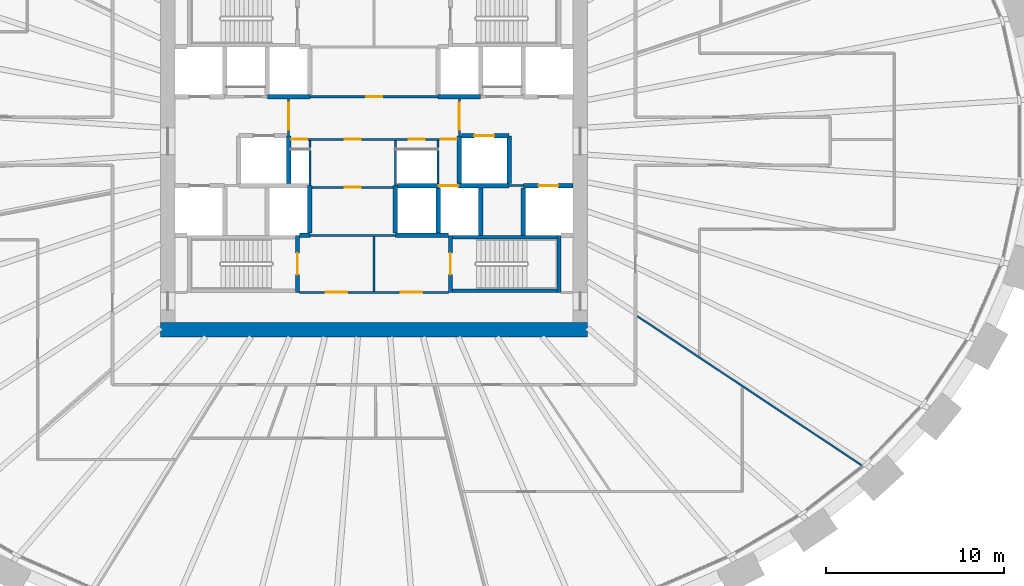
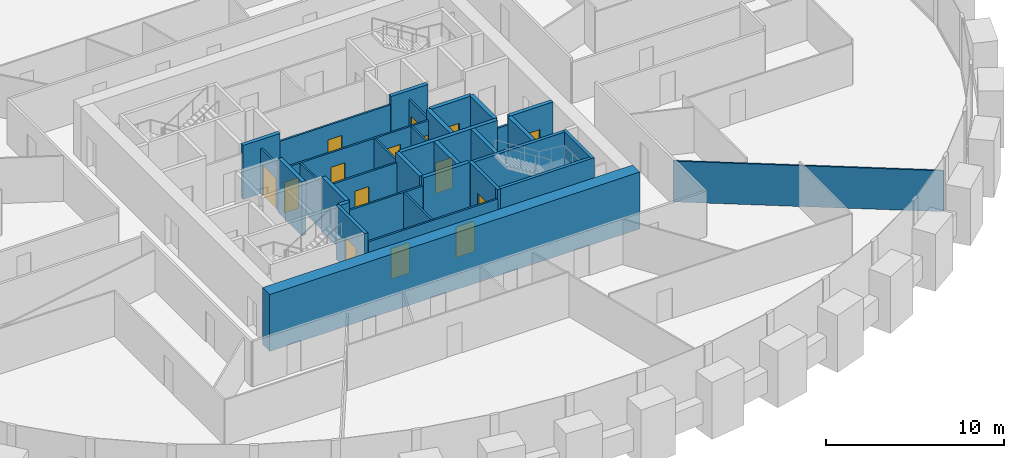
# One storey, part 7 of 10: 34 walls, 15 doors, 15 openings.
"""IFC4 building model written with IfcOpenShell, lengths in metres."""

from ifc_helpers import new_model, si_unit, direction, frame, frame_2d, origin, place, context, subcontext, project, spatial, rectangle, extrude, source, transform, mapped, material, layer, layer_set, type_object, element, fill, save


model = new_model("IFC4")

# Units and contexts
model_context = context("Model", 3, precision=1e-05, world=origin(), true_north=direction((0.0, 1.0)))
body_context = subcontext(model_context, "Body", "Model", "MODEL_VIEW")
ifc_project = project(units=[si_unit("LENGTHUNIT", "METRE"), si_unit("AREAUNIT", "SQUARE_METRE"), si_unit("VOLUMEUNIT", "CUBIC_METRE"), si_unit("PLANEANGLEUNIT", "RADIAN"), si_unit("MASSUNIT", "GRAM", prefix="KILO")], contexts=[model_context])

# Site, building, storey
site_placement = place(None, origin())
site = spatial("IfcSite", under=ifc_project, at=site_placement, CompositionType="ELEMENT")
building_placement = place(site_placement, origin())
building = spatial("IfcBuilding", under=site, at=building_placement, Name="Embergate Tower", CompositionType="ELEMENT")
storey_placement = place(building_placement, frame((0.0, 0.0, 167.699951171875)))
storey = spatial("IfcBuildingStorey", under=building, at=storey_placement, Name="L37", CompositionType="ELEMENT", Elevation=167.699951171875)

# Walls
ifc_material_1 = material(Name="Concrete C70", Category="concrete")
ifc_layer_1 = layer(ifc_material_1, 0.800048828125)
ifc_layer_set_1 = layer_set([ifc_layer_1], Name="Concrete C70")
wall_type_1 = type_object("IfcWallType", Name="Core outer wall C70 800", PredefinedType="SHEAR", material=ifc_layer_set_1)
shared_shape_1 = source(origin(), body_context, "Body", "SweptSolid", [
    extrude(rectangle(XDim=24.0, YDim=0.800048828125, at=frame_2d((12.0, 0.0))), origin(), (0.0, 0.0, 1.0), 3.89990234375),
])
wall_1_placement = place(storey_placement, frame((-12.0, -10.60009765625, -0.199951171875), z_axis=(0.0, 0.0, 1.0), x_axis=(1.0, 0.0, 0.0)))
element("IfcWall", 1, at=wall_1_placement, inside=storey, type_object=wall_type_1, Name="CW-L37-S", PredefinedType="SHEAR", context=body_context, shape_type="MappedRepresentation", body=[
    mapped(shared_shape_1, transform((0.0, 0.0, 0.0))),
])
ifc_material_2 = material(Name="Concrete C50", Category="concrete")
ifc_layer_2 = layer(ifc_material_2, 0.25)
ifc_layer_set_2 = layer_set([ifc_layer_2], Name="Concrete C50")
wall_type_2 = type_object("IfcWallType", Name="Hoistway wall reinforced concrete 250", PredefinedType="SHEAR", material=ifc_layer_set_2)
shared_shape_2 = source(origin(), body_context, "Body", "SweptSolid", [
    extrude(rectangle(XDim=2.675048828125, YDim=0.25, at=frame_2d((1.33740234375, 0.0))), origin(), (0.0, 0.0, 1.0), 3.699951171875),
])
for number, where, z_axis, x_axis, name in (
    (2, (-3.60009765625, -5.175048828125, 0.0), (0.0, 0.0, 1.0), (0.0, 1.0, 0.0), "HW-1 wall"),
    (3, (1.199951171875, -2.5, 0.0), (0.0, 0.0, 1.0), (0.0, -1.0, 0.0), "HW-1 wall"),
    (4, (-4.800048828125, 0.300048828125, 0.0), (0.0, 0.0, 1.0), (0.0, -1.0, 0.0), "HW-1 wall"),
    (5, (4.800048828125, -2.375, 0.0), (0.0, 0.0, 1.0), (0.0, 1.0, 0.0), "HW-1 wall"),
):
    element("IfcWall", number, at=place(storey_placement, frame(where, z_axis=z_axis, x_axis=x_axis)), inside=storey, type_object=wall_type_2, Name=name, PredefinedType="SHEAR", context=body_context, shape_type="MappedRepresentation", body=[
        mapped(shared_shape_2, transform((0.0, 0.0, 0.0))),
    ])

# Wall, opening, door
wall_2_placement = place(storey_placement, frame((7.60009765625, 0.300048828125, 0.0), z_axis=(0.0, 0.0, 1.0), x_axis=(-1.0, 0.0, 0.0)))
wall_2 = element("IfcWall", 6, at=wall_2_placement, inside=storey, type_object=wall_type_2, Name="HW-1 wall", PredefinedType="SHEAR", context=body_context, shape_type="MappedRepresentation", body=[
    mapped(shared_shape_2, transform((0.0, 0.0, 0.0))),
])
shared_shape_3 = source(origin(), body_context, "Body", "SweptSolid", [
    extrude(rectangle(XDim=1.10009765625, YDim=2.10009765625, at=frame_2d((0.550048828125, 1.050048828125))), frame((0.0, 0.135009765625, 0.0), z_axis=(0.0, -1.0, 0.0), x_axis=(1.0, 0.0, 0.0)), (0.0, 0.0, 1.0), 0.27001953125),
])
opening_1_placement = place(wall_2_placement, frame((0.85009765625, 0.0, 0.0)))
opening_1 = element("IfcOpeningElement", 7, at=opening_1_placement, cuts=wall_2, Name="Opening LD", PredefinedType="OPENING", context=body_context, shape_type="MappedRepresentation", body=[
    mapped(shared_shape_3, transform((0.0, 0.0, 0.0))),
])
ifc_material_3 = material(Name="Landing door sliding 1100")
door_type_1 = type_object("IfcDoorType", Name="Landing door sliding 1100", OperationType="SLIDING_TO_LEFT", PredefinedType="DOOR", material=ifc_material_3)
shared_shape_4 = source(origin(), body_context, "Body", "SweptSolid", [
    extrude(rectangle(XDim=1.10009765625, YDim=2.10009765625, at=frame_2d((0.550048828125, 1.050048828125))), frame((0.0, 0.02490234375, 0.0), z_axis=(0.0, -1.0, 0.0), x_axis=(1.0, 0.0, 0.0)), (0.0, 0.0, 1.0), 0.050048828125),
])
door_1_placement = place(opening_1_placement, origin())
door_1 = element("IfcDoor", 8, at=door_1_placement, inside=storey, type_object=door_type_1, Name="LD door", OperationType="SLIDING_TO_LEFT", OverallHeight=2.10009765625, OverallWidth=1.10009765625, PredefinedType="DOOR", context=body_context, shape_type="MappedRepresentation", body=[
    mapped(shared_shape_4, transform((0.0, 0.0, 0.0))),
])
fill(opening_1, door_1)

# Walls
wall_3_placement = place(storey_placement, frame((7.60009765625, -2.375, 0.0), z_axis=(0.0, 0.0, 1.0), x_axis=(0.0, 1.0, 0.0)))
element("IfcWall", 9, at=wall_3_placement, inside=storey, type_object=wall_type_2, Name="HW-1 wall", PredefinedType="SHEAR", context=body_context, shape_type="MappedRepresentation", body=[
    mapped(shared_shape_2, transform((0.0, 0.0, 0.0))),
])
ifc_layer_3 = layer(ifc_material_2, 0.199951171875)
ifc_layer_set_3 = layer_set([ifc_layer_3], Name="Concrete C50")
wall_type_3 = type_object("IfcWallType", Name="Stair enclosure wall reinforced concrete 250", PredefinedType="SHEAR", material=ifc_layer_set_3)
shared_shape_5 = source(origin(), body_context, "Body", "SweptSolid", [
    extrude(rectangle(XDim=6.300048828125, YDim=0.199951171875, at=frame_2d((3.14990234375, 0.0))), origin(), (0.0, 0.0, 1.0), 3.699951171875),
])
for number, where, z_axis, x_axis, name in (
    (10, (4.199951171875, -5.39990234375, 0.0), (0.0, 0.0, 1.0), (1.0, 0.0, 0.0), "SE-1 wall"),
    (11, (4.199951171875, -8.39990234375, 0.0), (0.0, 0.0, 1.0), (1.0, 0.0, 0.0), "SE-1 wall"),
):
    element("IfcWall", number, at=place(storey_placement, frame(where, z_axis=z_axis, x_axis=x_axis)), inside=storey, type_object=wall_type_3, Name=name, PredefinedType="SHEAR", context=body_context, shape_type="MappedRepresentation", body=[
        mapped(shared_shape_5, transform((0.0, 0.0, 0.0))),
    ])
shared_shape_6 = source(origin(), body_context, "Body", "SweptSolid", [
    extrude(rectangle(XDim=2.550048828125, YDim=0.25, at=frame_2d((1.27490234375, 0.0))), origin(), (0.0, 0.0, 1.0), 3.699951171875),
])
wall_4_placement = place(storey_placement, frame((3.60009765625, -5.175048828125, 0.0), z_axis=(0.0, 0.0, 1.0), x_axis=(0.0, 1.0, 0.0)))
element("IfcWall", 12, at=wall_4_placement, inside=storey, type_object=wall_type_2, Name="HW-1 wall", PredefinedType="SHEAR", context=body_context, shape_type="MappedRepresentation", body=[
    mapped(shared_shape_6, transform((0.0, 0.0, 0.0))),
])

# Wall, opening, door
ifc_material_4 = material(Name="Core partition blockwork 120")
ifc_layer_4 = layer(ifc_material_4, 0.1201171875)
ifc_layer_set_4 = layer_set([ifc_layer_4], Name="Core partition blockwork 120")
wall_type_4 = type_object("IfcWallType", Name="Core partition blockwork 120", PredefinedType="PARTITIONING", material=ifc_layer_set_4)
shared_shape_7 = source(origin(), body_context, "Body", "SweptSolid", [
    extrude(rectangle(XDim=2.074951171875, YDim=0.1201171875, at=frame_2d((1.03759765625, 0.0))), origin(), (0.0, 0.0, 1.0), 3.10009765625),
])
wall_5_placement = place(storey_placement, frame((-4.800048828125, 2.375, 0.0), z_axis=(0.0, 0.0, 1.0), x_axis=(0.0, -1.0, 0.0)))
wall_5 = element("IfcWall", 13, at=wall_5_placement, inside=storey, type_object=wall_type_4, Name="IP-3 wall", PredefinedType="PARTITIONING", context=body_context, shape_type="MappedRepresentation", body=[
    mapped(shared_shape_7, transform((0.0, 0.0, 0.0))),
])
shared_shape_8 = source(origin(), body_context, "Body", "SweptSolid", [
    extrude(rectangle(XDim=1.5, YDim=2.10009765625, at=frame_2d((0.75, 1.050048828125))), frame((0.0, 0.070068359375, 0.0), z_axis=(0.0, -1.0, 0.0), x_axis=(1.0, 0.0, 0.0)), (0.0, 0.0, 1.0), 0.14013671875),
])
opening_2_placement = place(wall_5_placement, frame((0.22509765625, 0.0, 0.0)))
opening_2 = element("IfcOpeningElement", 14, at=opening_2_placement, cuts=wall_5, Name="Opening IF-3", PredefinedType="OPENING", context=body_context, shape_type="MappedRepresentation", body=[
    mapped(shared_shape_8, transform((0.0, 0.0, 0.0))),
])
ifc_material_5 = material(Name="Lobby fire door pair 1500")
door_type_2 = type_object("IfcDoorType", Name="Lobby fire door pair 1500", OperationType="DOUBLE_DOOR_SINGLE_SWING", PredefinedType="DOOR", material=ifc_material_5)
shared_shape_9 = source(origin(), body_context, "Body", "SweptSolid", [
    extrude(rectangle(XDim=1.5, YDim=2.10009765625, at=frame_2d((0.75, 1.050048828125))), frame((0.0, 0.02490234375, 0.0), z_axis=(0.0, -1.0, 0.0), x_axis=(1.0, 0.0, 0.0)), (0.0, 0.0, 1.0), 0.050048828125),
])
door_2_placement = place(opening_2_placement, origin())
door_2 = element("IfcDoor", 15, at=door_2_placement, inside=storey, type_object=door_type_2, Name="IF-3 door", OperationType="DOUBLE_DOOR_SINGLE_SWING", OverallHeight=2.10009765625, OverallWidth=1.5, PredefinedType="DOOR", context=body_context, shape_type="MappedRepresentation", body=[
    mapped(shared_shape_9, transform((0.0, 0.0, 0.0))),
])
fill(opening_2, door_2)

wall_6_placement = place(storey_placement, frame((4.800048828125, 0.300048828125, 0.0), z_axis=(0.0, 0.0, 1.0), x_axis=(0.0, 1.0, 0.0)))
wall_6 = element("IfcWall", 16, at=wall_6_placement, inside=storey, type_object=wall_type_4, Name="IP-3 wall", PredefinedType="PARTITIONING", context=body_context, shape_type="MappedRepresentation", body=[
    mapped(shared_shape_7, transform((0.0, 0.0, 0.0))),
])
opening_3_placement = place(wall_6_placement, frame((0.35009765625, 0.0, 0.0)))
opening_3 = element("IfcOpeningElement", 17, at=opening_3_placement, cuts=wall_6, Name="Opening IF-3", PredefinedType="OPENING", context=body_context, shape_type="MappedRepresentation", body=[
    mapped(shared_shape_8, transform((0.0, 0.0, 0.0))),
])
door_3_placement = place(opening_3_placement, origin())
door_3 = element("IfcDoor", 18, at=door_3_placement, inside=storey, type_object=door_type_2, Name="IF-3 door", OperationType="DOUBLE_DOOR_SINGLE_SWING", OverallHeight=2.10009765625, OverallWidth=1.5, PredefinedType="DOOR", context=body_context, shape_type="MappedRepresentation", body=[
    mapped(shared_shape_9, transform((0.0, 0.0, 0.0))),
])
fill(opening_3, door_3)

shared_shape_10 = source(origin(), body_context, "Body", "SweptSolid", [
    extrude(rectangle(XDim=3.199951171875, YDim=0.199951171875, at=frame_2d((1.60009765625, 0.0))), origin(), (0.0, 0.0, 1.0), 3.699951171875),
])
wall_7_placement = place(storey_placement, frame((-4.300048828125, -8.5, 0.0), z_axis=(0.0, 0.0, 1.0), x_axis=(0.0, 1.0, 0.0)))
wall_7 = element("IfcWall", 19, at=wall_7_placement, inside=storey, type_object=wall_type_3, Name="SE-1 wall", PredefinedType="SHEAR", context=body_context, shape_type="MappedRepresentation", body=[
    mapped(shared_shape_10, transform((0.0, 0.0, 0.0))),
])
shared_shape_11 = source(origin(), body_context, "Body", "SweptSolid", [
    extrude(rectangle(XDim=1.199951171875, YDim=2.10009765625, at=frame_2d((0.60009765625, 1.050048828125))), frame((0.0, 0.10986328125, 0.0), z_axis=(0.0, -1.0, 0.0), x_axis=(1.0, 0.0, 0.0)), (0.0, 0.0, 1.0), 0.219970703125),
])
opening_4_placement = place(wall_7_placement, frame((1.0, 0.0, 0.0)))
opening_4 = element("IfcOpeningElement", 20, at=opening_4_placement, cuts=wall_7, Name="Opening IF-2", PredefinedType="OPENING", context=body_context, shape_type="MappedRepresentation", body=[
    mapped(shared_shape_11, transform((0.0, 0.0, 0.0))),
])
ifc_material_6 = material(Name="Stair enclosure door 1200")
door_type_3 = type_object("IfcDoorType", Name="Stair enclosure door 1200", OperationType="SINGLE_SWING_LEFT", PredefinedType="DOOR", material=ifc_material_6)
shared_shape_12 = source(origin(), body_context, "Body", "SweptSolid", [
    extrude(rectangle(XDim=1.199951171875, YDim=2.10009765625, at=frame_2d((0.60009765625, 1.050048828125))), frame((0.0, 0.02490234375, 0.0), z_axis=(0.0, -1.0, 0.0), x_axis=(1.0, 0.0, 0.0)), (0.0, 0.0, 1.0), 0.050048828125),
])
door_4_placement = place(opening_4_placement, origin())
door_4 = element("IfcDoor", 21, at=door_4_placement, inside=storey, type_object=door_type_3, Name="IF-2 door", OperationType="SINGLE_SWING_LEFT", OverallHeight=2.10009765625, OverallWidth=1.199951171875, PredefinedType="DOOR", context=body_context, shape_type="MappedRepresentation", body=[
    mapped(shared_shape_12, transform((0.0, 0.0, 0.0))),
])
fill(opening_4, door_4)

wall_8_placement = place(storey_placement, frame((4.300048828125, -5.300048828125, 0.0), z_axis=(0.0, 0.0, 1.0), x_axis=(0.0, -1.0, 0.0)))
wall_8 = element("IfcWall", 22, at=wall_8_placement, inside=storey, type_object=wall_type_3, Name="SE-1 wall", PredefinedType="SHEAR", context=body_context, shape_type="MappedRepresentation", body=[
    mapped(shared_shape_10, transform((0.0, 0.0, 0.0))),
])
opening_5_placement = place(wall_8_placement, frame((1.0, 0.0, 0.0)))
opening_5 = element("IfcOpeningElement", 23, at=opening_5_placement, cuts=wall_8, Name="Opening IF-2", PredefinedType="OPENING", context=body_context, shape_type="MappedRepresentation", body=[
    mapped(shared_shape_11, transform((0.0, 0.0, 0.0))),
])
door_5_placement = place(opening_5_placement, origin())
door_5 = element("IfcDoor", 24, at=door_5_placement, inside=storey, type_object=door_type_3, Name="IF-2 door", OperationType="SINGLE_SWING_LEFT", OverallHeight=2.10009765625, OverallWidth=1.199951171875, PredefinedType="DOOR", context=body_context, shape_type="MappedRepresentation", body=[
    mapped(shared_shape_12, transform((0.0, 0.0, 0.0))),
])
fill(opening_5, door_5)

# Walls
shared_shape_13 = source(origin(), body_context, "Body", "SweptSolid", [
    extrude(rectangle(XDim=2.39990234375, YDim=0.25, at=frame_2d((1.199951171875, 0.0))), origin(), (0.0, 0.0, 1.0), 3.699951171875),
])
for number, where, z_axis, x_axis, name in (
    (25, (-6.0, 2.5, 0.0), (0.0, 0.0, 1.0), (1.0, 0.0, 0.0), "HW-1 wall"),
    (26, (3.60009765625, 2.5, 0.0), (0.0, 0.0, 1.0), (1.0, 0.0, 0.0), "HW-1 wall"),
):
    element("IfcWall", number, at=place(storey_placement, frame(where, z_axis=z_axis, x_axis=x_axis)), inside=storey, type_object=wall_type_2, Name=name, PredefinedType="SHEAR", context=body_context, shape_type="MappedRepresentation", body=[
        mapped(shared_shape_13, transform((0.0, 0.0, 0.0))),
    ])

# Wall, openings, doors
shared_shape_14 = source(origin(), body_context, "Body", "SweptSolid", [
    extrude(rectangle(XDim=8.39990234375, YDim=0.1201171875, at=frame_2d((4.199951171875, 0.0))), origin(), (0.0, 0.0, 1.0), 3.10009765625),
])
wall_9_placement = place(storey_placement, frame((-4.199951171875, -8.5, 0.0), z_axis=(0.0, 0.0, 1.0), x_axis=(1.0, 0.0, 0.0)))
wall_9 = element("IfcWall", 27, at=wall_9_placement, inside=storey, type_object=wall_type_4, Name="IP-3 wall", PredefinedType="PARTITIONING", context=body_context, shape_type="MappedRepresentation", body=[
    mapped(shared_shape_14, transform((0.0, 0.0, 0.0))),
])
shared_shape_15 = source(origin(), body_context, "Body", "SweptSolid", [
    extrude(rectangle(XDim=1.199951171875, YDim=2.10009765625, at=frame_2d((0.60009765625, 1.050048828125))), frame((0.0, 0.070068359375, 0.0), z_axis=(0.0, -1.0, 0.0), x_axis=(1.0, 0.0, 0.0)), (0.0, 0.0, 1.0), 0.14013671875),
])
opening_6_placement = place(wall_9_placement, frame((1.5, 0.0, 0.0)))
opening_6 = element("IfcOpeningElement", 28, at=opening_6_placement, cuts=wall_9, Name="Opening IF-3f", PredefinedType="OPENING", context=body_context, shape_type="MappedRepresentation", body=[
    mapped(shared_shape_15, transform((0.0, 0.0, 0.0))),
])
opening_7_placement = place(wall_9_placement, frame((5.699951171875, 0.0, 0.0)))
opening_7 = element("IfcOpeningElement", 29, at=opening_7_placement, cuts=wall_9, Name="Opening IF-3f", PredefinedType="OPENING", context=body_context, shape_type="MappedRepresentation", body=[
    mapped(shared_shape_15, transform((0.0, 0.0, 0.0))),
])
ifc_material_7 = material(Name="Lobby fire door pair 1200")
door_type_4 = type_object("IfcDoorType", Name="Lobby fire door pair 1200", OperationType="DOUBLE_DOOR_SINGLE_SWING", PredefinedType="DOOR", material=ifc_material_7)
door_6_placement = place(opening_6_placement, origin())
door_6 = element("IfcDoor", 30, at=door_6_placement, inside=storey, type_object=door_type_4, Name="IF-3 door", OperationType="DOUBLE_DOOR_SINGLE_SWING", OverallHeight=2.10009765625, OverallWidth=1.199951171875, PredefinedType="DOOR", context=body_context, shape_type="MappedRepresentation", body=[
    mapped(shared_shape_12, transform((0.0, 0.0, 0.0))),
])
fill(opening_6, door_6)
door_7_placement = place(opening_7_placement, origin())
door_7 = element("IfcDoor", 31, at=door_7_placement, inside=storey, type_object=door_type_4, Name="IF-3 door", OperationType="DOUBLE_DOOR_SINGLE_SWING", OverallHeight=2.10009765625, OverallWidth=1.199951171875, PredefinedType="DOOR", context=body_context, shape_type="MappedRepresentation", body=[
    mapped(shared_shape_12, transform((0.0, 0.0, 0.0))),
])
fill(opening_7, door_7)

# Wall, opening, door
shared_shape_16 = source(origin(), body_context, "Body", "SweptSolid", [
    extrude(rectangle(XDim=2.800048828125, YDim=0.25, at=frame_2d((1.39990234375, 0.0))), origin(), (0.0, 0.0, 1.0), 3.699951171875),
])
wall_10_placement = place(storey_placement, frame((11.199951171875, -2.5, 0.0), z_axis=(0.0, 0.0, 1.0), x_axis=(-1.0, 0.0, 0.0)))
wall_10 = element("IfcWall", 32, at=wall_10_placement, inside=storey, type_object=wall_type_2, Name="HW-1 wall", PredefinedType="SHEAR", context=body_context, shape_type="MappedRepresentation", body=[
    mapped(shared_shape_16, transform((0.0, 0.0, 0.0))),
])
opening_8_placement = place(wall_10_placement, frame((0.85009765625, 0.0, 0.0)))
opening_8 = element("IfcOpeningElement", 33, at=opening_8_placement, cuts=wall_10, Name="Opening LD", PredefinedType="OPENING", context=body_context, shape_type="MappedRepresentation", body=[
    mapped(shared_shape_3, transform((0.0, 0.0, 0.0))),
])
door_8_placement = place(opening_8_placement, origin())
door_8 = element("IfcDoor", 34, at=door_8_placement, inside=storey, type_object=door_type_1, Name="LD door", OperationType="SLIDING_TO_LEFT", OverallHeight=2.10009765625, OverallWidth=1.10009765625, PredefinedType="DOOR", context=body_context, shape_type="MappedRepresentation", body=[
    mapped(shared_shape_4, transform((0.0, 0.0, 0.0))),
])
fill(opening_8, door_8)

# Wall
shared_shape_17 = source(origin(), body_context, "Body", "SweptSolid", [
    extrude(rectangle(XDim=0.599853515625, YDim=0.25, at=frame_2d((0.2998046875, 0.0))), origin(), (0.0, 0.0, 1.0), 3.699951171875),
])
wall_11_placement = place(storey_placement, frame((-4.199951171875, -5.300048828125, 0.0), z_axis=(0.0, 0.0, 1.0), x_axis=(1.0, 0.0, 0.0)))
element("IfcWall", 35, at=wall_11_placement, inside=storey, type_object=wall_type_2, Name="HW-1 wall", PredefinedType="SHEAR", context=body_context, shape_type="MappedRepresentation", body=[
    mapped(shared_shape_17, transform((0.0, 0.0, 0.0))),
])

# Wall, opening, door
shared_shape_18 = source(origin(), body_context, "Body", "SweptSolid", [
    extrude(rectangle(XDim=6.27294921875, YDim=0.25, at=frame_2d((3.136474609375, 0.0))), origin(), (0.0, 0.0, 1.0), 3.699951171875),
])
wall_12_placement = place(storey_placement, frame((7.597900390625, -2.5, 0.0), z_axis=(0.0, 0.0, 1.0), x_axis=(-1.0, 0.0, 0.0)))
wall_12 = element("IfcWall", 36, at=wall_12_placement, inside=storey, type_object=wall_type_2, Name="HW-1 wall", PredefinedType="SHEAR", context=body_context, shape_type="MappedRepresentation", body=[
    mapped(shared_shape_18, transform((0.0, 0.0, 0.0))),
])
opening_9_placement = place(wall_12_placement, frame((2.847900390625, 0.0, 0.0)))
opening_9 = element("IfcOpeningElement", 37, at=opening_9_placement, cuts=wall_12, Name="Opening LD", PredefinedType="OPENING", context=body_context, shape_type="MappedRepresentation", body=[
    mapped(shared_shape_3, transform((0.0, 0.0, 0.0))),
])
door_9_placement = place(opening_9_placement, origin())
door_9 = element("IfcDoor", 38, at=door_9_placement, inside=storey, type_object=door_type_1, Name="LD door", OperationType="SLIDING_TO_RIGHT", OverallHeight=2.10009765625, OverallWidth=1.10009765625, PredefinedType="DOOR", context=body_context, shape_type="MappedRepresentation", body=[
    mapped(shared_shape_4, transform((0.0, 0.0, 0.0))),
])
fill(opening_9, door_9)

# Wall
shared_shape_19 = source(origin(), body_context, "Body", "SweptSolid", [
    extrude(rectangle(XDim=3.0, YDim=0.25, at=frame_2d((1.5, 0.0))), origin(), (0.0, 0.0, 1.0), 3.699951171875),
])
wall_13_placement = place(storey_placement, frame((1.199951171875, -5.300048828125, 0.0), z_axis=(0.0, 0.0, 1.0), x_axis=(1.0, 0.0, 0.0)))
element("IfcWall", 39, at=wall_13_placement, inside=storey, type_object=wall_type_2, Name="HW-1 wall", PredefinedType="SHEAR", context=body_context, shape_type="MappedRepresentation", body=[
    mapped(shared_shape_19, transform((0.0, 0.0, 0.0))),
])

# Wall, openings, doors
shared_shape_20 = source(origin(), body_context, "Body", "SweptSolid", [
    extrude(rectangle(XDim=9.35009765625, YDim=0.1201171875, at=frame_2d((4.675048828125, 0.0))), origin(), (0.0, 0.0, 1.0), 3.10009765625),
])
wall_14_placement = place(storey_placement, frame((-4.675048828125, 0.10009765625, 0.0), z_axis=(0.0, 0.0, 1.0), x_axis=(1.0, 0.0, 0.0)))
wall_14 = element("IfcWall", 40, at=wall_14_placement, inside=storey, type_object=wall_type_4, Name="IP-3 wall", PredefinedType="PARTITIONING", context=body_context, shape_type="MappedRepresentation", body=[
    mapped(shared_shape_20, transform((0.0, 0.0, 0.0))),
])
shared_shape_21 = source(origin(), body_context, "Body", "SweptSolid", [
    extrude(rectangle(XDim=0.89990234375, YDim=2.10009765625, at=frame_2d((0.449951171875, 1.050048828125))), frame((0.0, 0.070068359375, 0.0), z_axis=(0.0, -1.0, 0.0), x_axis=(1.0, 0.0, 0.0)), (0.0, 0.0, 1.0), 0.14013671875),
])
opening_10_placement = place(wall_14_placement, frame((8.425048828125, 0.0, 0.0)))
opening_10 = element("IfcOpeningElement", 41, at=opening_10_placement, cuts=wall_14, Name="Opening IF-3c", PredefinedType="OPENING", context=body_context, shape_type="MappedRepresentation", body=[
    mapped(shared_shape_21, transform((0.0, 0.0, 0.0))),
])
opening_11_placement = place(wall_14_placement, frame((0.02490234375, 0.0, 0.0)))
opening_11 = element("IfcOpeningElement", 42, at=opening_11_placement, cuts=wall_14, Name="Opening ID-1", PredefinedType="OPENING", context=body_context, shape_type="MappedRepresentation", body=[
    mapped(shared_shape_21, transform((0.0, 0.0, 0.0))),
])
opening_12_placement = place(wall_14_placement, frame((6.625, 0.0, 0.0)))
opening_12 = element("IfcOpeningElement", 43, at=opening_12_placement, cuts=wall_14, Name="Opening ID-1", PredefinedType="OPENING", context=body_context, shape_type="MappedRepresentation", body=[
    mapped(shared_shape_21, transform((0.0, 0.0, 0.0))),
])
opening_13_placement = place(wall_14_placement, frame((3.02490234375, 0.0, 0.0)))
opening_13 = element("IfcOpeningElement", 44, at=opening_13_placement, cuts=wall_14, Name="Opening ID-1", PredefinedType="OPENING", context=body_context, shape_type="MappedRepresentation", body=[
    mapped(shared_shape_21, transform((0.0, 0.0, 0.0))),
])
ifc_material_8 = material(Name="Lobby fire door pair 900")
door_type_5 = type_object("IfcDoorType", Name="Lobby fire door pair 900", OperationType="DOUBLE_DOOR_SINGLE_SWING", PredefinedType="DOOR", material=ifc_material_8)
shared_shape_22 = source(origin(), body_context, "Body", "SweptSolid", [
    extrude(rectangle(XDim=0.89990234375, YDim=2.10009765625, at=frame_2d((0.449951171875, 1.050048828125))), frame((0.0, 0.02490234375, 0.0), z_axis=(0.0, -1.0, 0.0), x_axis=(1.0, 0.0, 0.0)), (0.0, 0.0, 1.0), 0.050048828125),
])
door_10_placement = place(opening_10_placement, origin())
door_10 = element("IfcDoor", 45, at=door_10_placement, inside=storey, type_object=door_type_5, Name="IF-3 door", OperationType="DOUBLE_DOOR_SINGLE_SWING", OverallHeight=2.10009765625, OverallWidth=0.89990234375, PredefinedType="DOOR", context=body_context, shape_type="MappedRepresentation", body=[
    mapped(shared_shape_22, transform((0.0, 0.0, 0.0))),
])
fill(opening_10, door_10)
ifc_material_9 = material(Name="Interior door 900")
door_type_6 = type_object("IfcDoorType", Name="Interior door 900", OperationType="SINGLE_SWING_LEFT", PredefinedType="DOOR", material=ifc_material_9)
door_11_placement = place(opening_11_placement, origin())
door_11 = element("IfcDoor", 46, at=door_11_placement, inside=storey, type_object=door_type_6, Name="ID-1 door", OperationType="SINGLE_SWING_LEFT", OverallHeight=2.10009765625, OverallWidth=0.89990234375, PredefinedType="DOOR", context=body_context, shape_type="MappedRepresentation", body=[
    mapped(shared_shape_22, transform((0.0, 0.0, 0.0))),
])
fill(opening_11, door_11)
door_12_placement = place(opening_12_placement, origin())
door_12 = element("IfcDoor", 47, at=door_12_placement, inside=storey, type_object=door_type_6, Name="ID-1 door", OperationType="SINGLE_SWING_LEFT", OverallHeight=2.10009765625, OverallWidth=0.89990234375, PredefinedType="DOOR", context=body_context, shape_type="MappedRepresentation", body=[
    mapped(shared_shape_22, transform((0.0, 0.0, 0.0))),
])
fill(opening_12, door_12)
door_13_placement = place(opening_13_placement, origin())
door_13 = element("IfcDoor", 48, at=door_13_placement, inside=storey, type_object=door_type_6, Name="ID-1 door", OperationType="SINGLE_SWING_RIGHT", OverallHeight=2.10009765625, OverallWidth=0.89990234375, PredefinedType="DOOR", context=body_context, shape_type="MappedRepresentation", body=[
    mapped(shared_shape_22, transform((0.0, 0.0, 0.0))),
])
fill(opening_13, door_13)

# Wall, opening, door
shared_shape_23 = source(origin(), body_context, "Body", "SweptSolid", [
    extrude(rectangle(XDim=7.2001953125, YDim=0.1201171875, at=frame_2d((3.60009765625, 0.0))), origin(), (0.0, 0.0, 1.0), 3.10009765625),
])
wall_15_placement = place(storey_placement, frame((3.60009765625, 2.5, 0.0), z_axis=(0.0, 0.0, 1.0), x_axis=(-1.0, 0.0, 0.0)))
wall_15 = element("IfcWall", 49, at=wall_15_placement, inside=storey, type_object=wall_type_4, Name="IP-3 wall", PredefinedType="PARTITIONING", context=body_context, shape_type="MappedRepresentation", body=[
    mapped(shared_shape_23, transform((0.0, 0.0, 0.0))),
])
opening_14_placement = place(wall_15_placement, frame((3.14990234375, 0.0, 0.0)))
opening_14 = element("IfcOpeningElement", 50, at=opening_14_placement, cuts=wall_15, Name="Opening ID-1", PredefinedType="OPENING", context=body_context, shape_type="MappedRepresentation", body=[
    mapped(shared_shape_21, transform((0.0, 0.0, 0.0))),
])
door_14_placement = place(opening_14_placement, origin())
door_14 = element("IfcDoor", 51, at=door_14_placement, inside=storey, type_object=door_type_6, Name="ID-1 door", OperationType="SINGLE_SWING_RIGHT", OverallHeight=2.10009765625, OverallWidth=0.89990234375, PredefinedType="DOOR", context=body_context, shape_type="MappedRepresentation", body=[
    mapped(shared_shape_22, transform((0.0, 0.0, 0.0))),
])
fill(opening_14, door_14)

# Walls
shared_shape_24 = source(origin(), body_context, "Body", "SweptSolid", [
    extrude(rectangle(XDim=2.5400390625, YDim=0.1201171875, at=frame_2d((1.27001953125, 0.0))), origin(), (0.0, 0.0, 1.0), 3.10009765625),
])
for number, where, z_axis, x_axis, name in (
    (52, (-3.60009765625, -2.5, 0.0), (0.0, 0.0, 1.0), (0.0, 1.0, 0.0), "IP-3 wall"),
    (53, (1.199951171875, 0.0400390625, 0.0), (0.0, 0.0, 1.0), (0.0, -1.0, 0.0), "IP-3 wall"),
):
    element("IfcWall", number, at=place(storey_placement, frame(where, z_axis=z_axis, x_axis=x_axis)), inside=storey, type_object=wall_type_4, Name=name, PredefinedType="PARTITIONING", context=body_context, shape_type="MappedRepresentation", body=[
        mapped(shared_shape_24, transform((0.0, 0.0, 0.0))),
    ])
shared_shape_25 = source(origin(), body_context, "Body", "SweptSolid", [
    extrude(rectangle(XDim=2.4150390625, YDim=0.1201171875, at=frame_2d((1.20751953125, 0.0))), origin(), (0.0, 0.0, 1.0), 3.10009765625),
])
wall_16_placement = place(storey_placement, frame((3.60009765625, -2.375, 0.0), z_axis=(0.0, 0.0, 1.0), x_axis=(0.0, 1.0, 0.0)))
element("IfcWall", 54, at=wall_16_placement, inside=storey, type_object=wall_type_4, Name="IP-3 wall", PredefinedType="PARTITIONING", context=body_context, shape_type="MappedRepresentation", body=[
    mapped(shared_shape_25, transform((0.0, 0.0, 0.0))),
])
shared_shape_26 = source(origin(), body_context, "Body", "SweptSolid", [
    extrude(rectangle(XDim=3.079833984375, YDim=0.1201171875, at=frame_2d((1.5400390625, 0.0))), origin(), (0.0, 0.0, 1.0), 3.10009765625),
])
wall_17_placement = place(storey_placement, frame((0.0, -8.43994140625, 0.0), z_axis=(0.0, 0.0, 1.0), x_axis=(0.0, 1.0, 0.0)))
element("IfcWall", 55, at=wall_17_placement, inside=storey, type_object=wall_type_4, Name="IP-3 wall", PredefinedType="PARTITIONING", context=body_context, shape_type="MappedRepresentation", body=[
    mapped(shared_shape_26, transform((0.0, 0.0, 0.0))),
])
shared_shape_27 = source(origin(), body_context, "Body", "SweptSolid", [
    extrude(rectangle(XDim=4.800048828125, YDim=0.1201171875, at=frame_2d((2.39990234375, 0.0))), origin(), (0.0, 0.0, 1.0), 3.10009765625),
])
wall_18_placement = place(storey_placement, frame((1.199951171875, -5.300048828125, 0.0), z_axis=(0.0, 0.0, 1.0), x_axis=(-1.0, 0.0, 0.0)))
element("IfcWall", 56, at=wall_18_placement, inside=storey, type_object=wall_type_4, Name="IP-3 wall", PredefinedType="PARTITIONING", context=body_context, shape_type="MappedRepresentation", body=[
    mapped(shared_shape_27, transform((0.0, 0.0, 0.0))),
])

# Wall, opening, door
shared_shape_28 = source(origin(), body_context, "Body", "SweptSolid", [
    extrude(rectangle(XDim=4.550048828125, YDim=0.1201171875, at=frame_2d((2.27490234375, 0.0))), origin(), (0.0, 0.0, 1.0), 3.10009765625),
])
wall_19_placement = place(storey_placement, frame((1.074951171875, -2.60009765625, 0.0), z_axis=(0.0, 0.0, 1.0), x_axis=(-1.0, 0.0, 0.0)))
wall_19 = element("IfcWall", 57, at=wall_19_placement, inside=storey, type_object=wall_type_4, Name="IP-3 wall", PredefinedType="PARTITIONING", context=body_context, shape_type="MappedRepresentation", body=[
    mapped(shared_shape_28, transform((0.0, 0.0, 0.0))),
])
opening_15_placement = place(wall_19_placement, frame((1.824951171875, 0.0, 0.0)))
opening_15 = element("IfcOpeningElement", 58, at=opening_15_placement, cuts=wall_19, Name="Opening ID-1", PredefinedType="OPENING", context=body_context, shape_type="MappedRepresentation", body=[
    mapped(shared_shape_21, transform((0.0, 0.0, 0.0))),
])
door_15_placement = place(opening_15_placement, origin())
door_15 = element("IfcDoor", 59, at=door_15_placement, inside=storey, type_object=door_type_6, Name="ID-1 door", OperationType="SINGLE_SWING_LEFT", OverallHeight=2.10009765625, OverallWidth=0.89990234375, PredefinedType="DOOR", context=body_context, shape_type="MappedRepresentation", body=[
    mapped(shared_shape_22, transform((0.0, 0.0, 0.0))),
])
fill(opening_15, door_15)

# Walls
shared_shape_29 = source(origin(), body_context, "Body", "SweptSolid", [
    extrude(rectangle(XDim=3.196044921875, YDim=0.199951171875, at=frame_2d((1.59814453125, 0.0))), origin(), (0.0, 0.0, 1.0), 3.699951171875),
])
wall_20_placement = place(storey_placement, frame((10.39990234375, -8.498046875, 0.0), z_axis=(0.0, 0.0, 1.0), x_axis=(0.0, 1.0, 0.0)))
element("IfcWall", 60, at=wall_20_placement, inside=storey, type_object=wall_type_3, Name="SE-1 wall", PredefinedType="SHEAR", context=body_context, shape_type="MappedRepresentation", body=[
    mapped(shared_shape_29, transform((0.0, 0.0, 0.0))),
])
shared_shape_30 = source(origin(), body_context, "Body", "SweptSolid", [
    extrude(rectangle(XDim=2.671142578125, YDim=0.25, at=frame_2d((1.33544921875, 0.0))), origin(), (0.0, 0.0, 1.0), 3.699951171875),
])
for number, where, z_axis, x_axis, name in (
    (61, (6.0, -5.298095703125, 0.0), (0.0, 0.0, 1.0), (0.0, 1.0, 0.0), "HW-1 wall"),
    (62, (8.39990234375, -2.626953125, 0.0), (0.0, 0.0, 1.0), (0.0, -1.0, 0.0), "HW-1 wall"),
):
    element("IfcWall", number, at=place(storey_placement, frame(where, z_axis=z_axis, x_axis=x_axis)), inside=storey, type_object=wall_type_2, Name=name, PredefinedType="SHEAR", context=body_context, shape_type="MappedRepresentation", body=[
        mapped(shared_shape_30, transform((0.0, 0.0, 0.0))),
    ])
shared_shape_31 = source(origin(), body_context, "Body", "SweptSolid", [
    extrude(rectangle(XDim=0.7958984375, YDim=0.1201171875, at=frame_2d((0.39794921875, 0.0))), origin(), (0.0, 0.0, 1.0), 3.10009765625),
])
wall_21_placement = place(storey_placement, frame((7.60205078125, -2.5, 0.0), z_axis=(0.0, 0.0, 1.0), x_axis=(1.0, 0.0, 0.0)))
element("IfcWall", 63, at=wall_21_placement, inside=storey, type_object=wall_type_4, Name="IP-3 wall", PredefinedType="PARTITIONING", context=body_context, shape_type="MappedRepresentation", body=[
    mapped(shared_shape_31, transform((0.0, 0.0, 0.0))),
])
ifc_material_10 = material(Name="Partition dry-lined 100")
ifc_layer_5 = layer(ifc_material_10, 0.10009765625)
ifc_layer_set_5 = layer_set([ifc_layer_5], Name="Partition dry-lined 100")
wall_type_5 = type_object("IfcWallType", Name="Partition dry-lined 100", PredefinedType="PARTITIONING", material=ifc_layer_set_5)
shared_shape_32 = source(origin(), body_context, "Body", "SweptSolid", [
    extrude(rectangle(XDim=15.234375, YDim=0.10009765625, at=frame_2d((7.6171875, 0.0))), origin(), (0.0, 0.0, 1.0), 2.800048828125),
])
wall_22_placement = place(storey_placement, frame((27.489990234375, -18.27392578125, 0.0), z_axis=(0.0, 0.0, 1.0), x_axis=(-0.832781812053, 0.553601348909, 0.0)))
element("IfcWall", 64, at=wall_22_placement, inside=storey, type_object=wall_type_5, Name="IP-1 wall", PredefinedType="PARTITIONING", context=body_context, shape_type="MappedRepresentation", body=[
    mapped(shared_shape_32, transform((0.0, 0.0, 0.0))),
])

save(model, "model.ifc")
